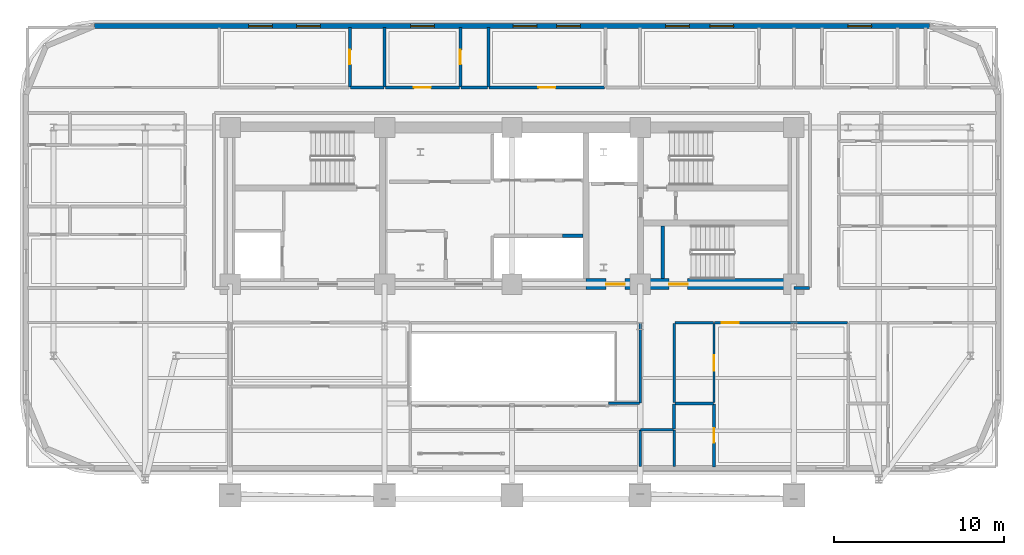
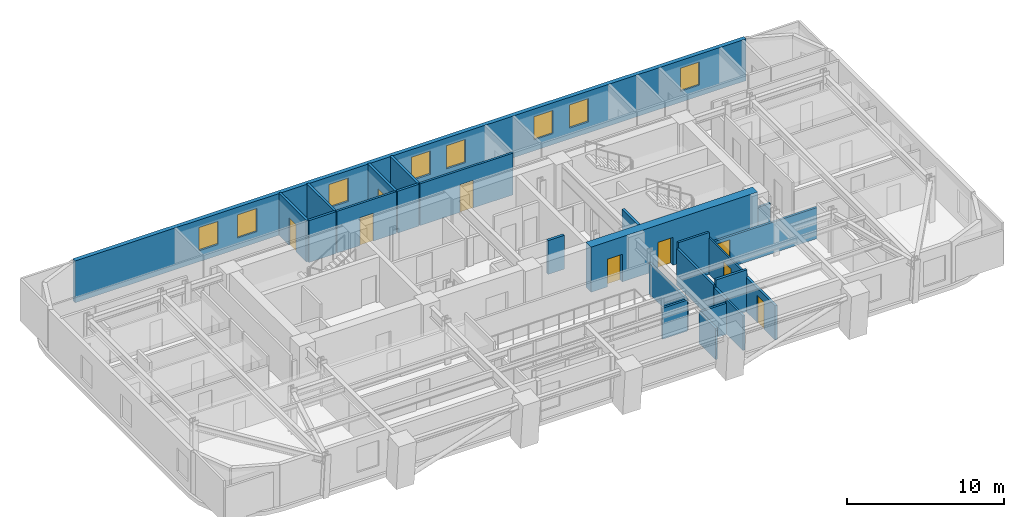
# One storey, part 10 of 16: 25 walls, 9 doors, 8 windows, 17 openings.
"""IFC4 building model written with IfcOpenShell, lengths in metres."""

from ifc_helpers import new_model, si_unit, direction, frame, frame_2d, origin, place, context, subcontext, project, spatial, rectangle, extrude, material, layer, layer_set, type_object, element, fill, save


model = new_model("IFC4")

# Units and contexts
model_context = context("Model", 3, precision=1e-05, world=origin(), true_north=direction((0.0, 1.0)))
body_context = subcontext(model_context, "Body", "Model", "MODEL_VIEW")
ifc_project = project(units=[si_unit("LENGTHUNIT", "METRE"), si_unit("AREAUNIT", "SQUARE_METRE"), si_unit("VOLUMEUNIT", "CUBIC_METRE"), si_unit("PLANEANGLEUNIT", "RADIAN"), si_unit("MASSUNIT", "GRAM", prefix="KILO")], contexts=[model_context])

# Site, building, storey
site_placement = place(None, origin())
site = spatial("IfcSite", under=ifc_project, at=site_placement, CompositionType="ELEMENT")
building_placement = place(site_placement, origin())
building = spatial("IfcBuilding", under=site, at=building_placement, Name="Zarnavel Station Tower", CompositionType="ELEMENT")
storey_placement = place(building_placement, frame((0.0, 0.0, 118.800048828125)))
storey = spatial("IfcBuildingStorey", under=building, at=storey_placement, Name="L32", CompositionType="ELEMENT", Elevation=118.800048828125)

# Wall, openings, doors
ifc_material_1 = material(Name="Concrete C60/75", Category="concrete")
ifc_layer_1 = layer(ifc_material_1, 0.64990234375)
ifc_layer_set_1 = layer_set([ifc_layer_1], Name="CW_650")
wall_type_1 = type_object("IfcWallType", Name="CW_650", PredefinedType="SHEAR", material=ifc_layer_set_1)
wall_1_placement = place(storey_placement, frame((45.3798828125, 27.820068359375, 0.0), z_axis=(0.0, 0.0, 1.0), x_axis=(-1.0, 0.0, 0.0)))
wall_1 = element("IfcWall", 1, at=wall_1_placement, inside=storey, type_object=wall_type_1, Name="L32 Rear Core Shear Wall S-E", PredefinedType="SHEAR", context=body_context, shape_type="SweptSolid", body=[
    extrude(rectangle(XDim=12.22998046875, YDim=0.64990234375, at=frame_2d((6.114990234375, 0.0))), origin(), (0.0, 0.0, 1.0), 3.5),
])
opening_1_placement = place(wall_1_placement, frame((9.929931640625, 0.0, 0.0)))
opening_1 = element("IfcOpeningElement", 2, at=opening_1_placement, cuts=wall_1, Name="Opening FD01", PredefinedType="OPENING", context=body_context, shape_type="SweptSolid", body=[
    extrude(rectangle(XDim=1.10009765625, YDim=2.14990234375, at=frame_2d((0.550048828125, 1.074951171875))), frame((0.0, 0.3349609375, 0.0), z_axis=(0.0, -1.0, 0.0), x_axis=(1.0, 0.0, 0.0)), (0.0, 0.0, 1.0), 0.669921875),
])
opening_2_placement = place(wall_1_placement, frame((6.22998046875, 0.0, 0.0)))
opening_2 = element("IfcOpeningElement", 3, at=opening_2_placement, cuts=wall_1, Name="Opening FD01", PredefinedType="OPENING", context=body_context, shape_type="SweptSolid", body=[
    extrude(rectangle(XDim=1.10009765625, YDim=2.14990234375, at=frame_2d((0.550048828125, 1.074951171875))), frame((0.0, 0.3349609375, 0.0), z_axis=(0.0, -1.0, 0.0), x_axis=(1.0, 0.0, 0.0)), (0.0, 0.0, 1.0), 0.669921875),
])
ifc_material_2 = material(Name="Painted Galvanised Steel and Hardwood Leaf", Category="steel")
door_type_1 = type_object("IfcDoorType", Name="ID_STAIR_1100", OperationType="NOTDEFINED", PredefinedType="DOOR", material=ifc_material_2)
door_1_placement = place(opening_1_placement, origin())
door_1 = element("IfcDoor", 4, at=door_1_placement, inside=storey, type_object=door_type_1, Name="L32 East Firefighting Lobby Door", OperationType="SINGLE_SWING_LEFT", OverallHeight=2.14990234375, OverallWidth=1.10009765625, PredefinedType="DOOR", context=body_context, shape_type="SweptSolid", body=[
    extrude(rectangle(XDim=1.10009765625, YDim=2.14990234375, at=frame_2d((0.550048828125, 1.074951171875))), frame((0.0, 0.02490234375, 0.0), z_axis=(0.0, -1.0, 0.0), x_axis=(1.0, 0.0, 0.0)), (0.0, 0.0, 1.0), 0.050048828125),
])
fill(opening_1, door_1)
door_2_placement = place(opening_2_placement, origin())
door_2 = element("IfcDoor", 5, at=door_2_placement, inside=storey, type_object=door_type_1, Name="L32 Stair ST3 Corridor Fire Door", OperationType="SINGLE_SWING_RIGHT", OverallHeight=2.14990234375, OverallWidth=1.10009765625, PredefinedType="DOOR", context=body_context, shape_type="SweptSolid", body=[
    extrude(rectangle(XDim=1.10009765625, YDim=2.14990234375, at=frame_2d((0.550048828125, 1.074951171875))), frame((0.0, 0.02490234375, 0.0), z_axis=(0.0, -1.0, 0.0), x_axis=(1.0, 0.0, 0.0)), (0.0, 0.0, 1.0), 0.050048828125),
])
fill(opening_2, door_2)

# Wall, openings, windows
ifc_material_3 = material(Name="Precast concrete C45/55 (Dark Basalt Finish)", Category="masonry")
ifc_layer_2 = layer(ifc_material_3, 0.300048828125)
ifc_layer_set_2 = layer_set([ifc_layer_2], Name="EW_BASALT_300")
wall_type_2 = type_object("IfcWallType", Name="EW_BASALT_300", PredefinedType="SOLIDWALL", material=ifc_layer_set_2)
wall_2_placement = place(storey_placement, frame((4.199951171875, 43.02001953125, 0.0), z_axis=(0.0, 0.0, 1.0), x_axis=(1.0, 0.0, 0.0)))
wall_2 = element("IfcWall", 6, at=wall_2_placement, inside=storey, type_object=wall_type_2, Name="L32 Exterior Basalt Masonry Frame Wall 06", PredefinedType="SOLIDWALL", context=body_context, shape_type="SweptSolid", body=[
    extrude(rectangle(XDim=49.199951171875, YDim=0.300048828125, at=frame_2d((24.60009765625, 0.0))), origin(), (0.0, 0.0, 1.0), 3.239990234375),
])
opening_3_placement = place(wall_2_placement, frame((9.090087890625, 0.0, 0.85009765625)))
opening_3 = element("IfcOpeningElement", 7, at=opening_3_placement, cuts=wall_2, Name="Opening WN01", PredefinedType="OPENING", context=body_context, shape_type="SweptSolid", body=[
    extrude(rectangle(XDim=1.39990234375, YDim=1.800048828125, at=frame_2d((0.699951171875, 0.89990234375))), frame((0.0, 0.159912109375, 0.0), z_axis=(0.0, -1.0, 0.0), x_axis=(1.0, 0.0, 0.0)), (0.0, 0.0, 1.0), 0.320068359375),
])
opening_4_placement = place(wall_2_placement, frame((11.919921875, 0.0, 0.85009765625)))
opening_4 = element("IfcOpeningElement", 8, at=opening_4_placement, cuts=wall_2, Name="Opening WN01", PredefinedType="OPENING", context=body_context, shape_type="SweptSolid", body=[
    extrude(rectangle(XDim=1.39990234375, YDim=1.800048828125, at=frame_2d((0.699951171875, 0.89990234375))), frame((0.0, 0.159912109375, 0.0), z_axis=(0.0, -1.0, 0.0), x_axis=(1.0, 0.0, 0.0)), (0.0, 0.0, 1.0), 0.320068359375),
])
opening_5_placement = place(wall_2_placement, frame((18.626953125, 0.0, 0.85009765625)))
opening_5 = element("IfcOpeningElement", 9, at=opening_5_placement, cuts=wall_2, Name="Opening WN01", PredefinedType="OPENING", context=body_context, shape_type="SweptSolid", body=[
    extrude(rectangle(XDim=1.39990234375, YDim=1.800048828125, at=frame_2d((0.699951171875, 0.89990234375))), frame((0.0, 0.159912109375, 0.0), z_axis=(0.0, -1.0, 0.0), x_axis=(1.0, 0.0, 0.0)), (0.0, 0.0, 1.0), 0.320068359375),
])
opening_6_placement = place(wall_2_placement, frame((24.669189453125, 0.0, 0.85009765625)))
opening_6 = element("IfcOpeningElement", 10, at=opening_6_placement, cuts=wall_2, Name="Opening WN01", PredefinedType="OPENING", context=body_context, shape_type="SweptSolid", body=[
    extrude(rectangle(XDim=1.39990234375, YDim=1.800048828125, at=frame_2d((0.699951171875, 0.89990234375))), frame((0.0, 0.159912109375, 0.0), z_axis=(0.0, -1.0, 0.0), x_axis=(1.0, 0.0, 0.0)), (0.0, 0.0, 1.0), 0.320068359375),
])
opening_7_placement = place(wall_2_placement, frame((27.234619140625, 0.0, 0.85009765625)))
opening_7 = element("IfcOpeningElement", 11, at=opening_7_placement, cuts=wall_2, Name="Opening WN01", PredefinedType="OPENING", context=body_context, shape_type="SweptSolid", body=[
    extrude(rectangle(XDim=1.39990234375, YDim=1.800048828125, at=frame_2d((0.699951171875, 0.89990234375))), frame((0.0, 0.159912109375, 0.0), z_axis=(0.0, -1.0, 0.0), x_axis=(1.0, 0.0, 0.0)), (0.0, 0.0, 1.0), 0.320068359375),
])
opening_8_placement = place(wall_2_placement, frame((33.64990234375, 0.0, 0.85009765625)))
opening_8 = element("IfcOpeningElement", 12, at=opening_8_placement, cuts=wall_2, Name="Opening WN01", PredefinedType="OPENING", context=body_context, shape_type="SweptSolid", body=[
    extrude(rectangle(XDim=1.39990234375, YDim=1.800048828125, at=frame_2d((0.699951171875, 0.89990234375))), frame((0.0, 0.159912109375, 0.0), z_axis=(0.0, -1.0, 0.0), x_axis=(1.0, 0.0, 0.0)), (0.0, 0.0, 1.0), 0.320068359375),
])
opening_9_placement = place(wall_2_placement, frame((36.25, 0.0, 0.85009765625)))
opening_9 = element("IfcOpeningElement", 13, at=opening_9_placement, cuts=wall_2, Name="Opening WN01", PredefinedType="OPENING", context=body_context, shape_type="SweptSolid", body=[
    extrude(rectangle(XDim=1.39990234375, YDim=1.800048828125, at=frame_2d((0.699951171875, 0.89990234375))), frame((0.0, 0.159912109375, 0.0), z_axis=(0.0, -1.0, 0.0), x_axis=(1.0, 0.0, 0.0)), (0.0, 0.0, 1.0), 0.320068359375),
])
opening_10_placement = place(wall_2_placement, frame((44.376953125, 0.0, 0.85009765625)))
opening_10 = element("IfcOpeningElement", 14, at=opening_10_placement, cuts=wall_2, Name="Opening WN01", PredefinedType="OPENING", context=body_context, shape_type="SweptSolid", body=[
    extrude(rectangle(XDim=1.39990234375, YDim=1.800048828125, at=frame_2d((0.699951171875, 0.89990234375))), frame((0.0, 0.159912109375, 0.0), z_axis=(0.0, -1.0, 0.0), x_axis=(1.0, 0.0, 0.0)), (0.0, 0.0, 1.0), 0.320068359375),
])
ifc_material_4 = material(Name="Thermally Broken Black Aluminium and Low-E Dark Glass", Category="aluminium")
window_type = type_object("IfcWindowType", Name="WN_1400x1800", PartitioningType="DOUBLE_PANEL_VERTICAL", PredefinedType="WINDOW", material=ifc_material_4)
window_1_placement = place(opening_3_placement, origin())
window_1 = element("IfcWindow", 15, at=window_1_placement, inside=storey, type_object=window_type, Name="L32 Recessed Facade Window 01", OverallHeight=1.800048828125, OverallWidth=1.39990234375, PartitioningType="SINGLE_PANEL", PredefinedType="WINDOW", context=body_context, shape_type="SweptSolid", body=[
    extrude(rectangle(XDim=1.39990234375, YDim=1.800048828125, at=frame_2d((0.699951171875, 0.89990234375))), frame((0.0, 0.030029296875, 0.0), z_axis=(0.0, -1.0, 0.0), x_axis=(1.0, 0.0, 0.0)), (0.0, 0.0, 1.0), 0.06005859375),
])
fill(opening_3, window_1)
window_2_placement = place(opening_4_placement, origin())
window_2 = element("IfcWindow", 16, at=window_2_placement, inside=storey, type_object=window_type, Name="L32 Recessed Facade Window 02", OverallHeight=1.800048828125, OverallWidth=1.39990234375, PartitioningType="SINGLE_PANEL", PredefinedType="WINDOW", context=body_context, shape_type="SweptSolid", body=[
    extrude(rectangle(XDim=1.39990234375, YDim=1.800048828125, at=frame_2d((0.699951171875, 0.89990234375))), frame((0.0, 0.030029296875, 0.0), z_axis=(0.0, -1.0, 0.0), x_axis=(1.0, 0.0, 0.0)), (0.0, 0.0, 1.0), 0.06005859375),
])
fill(opening_4, window_2)
window_3_placement = place(opening_5_placement, origin())
window_3 = element("IfcWindow", 17, at=window_3_placement, inside=storey, type_object=window_type, Name="L32 Recessed Facade Window 03", OverallHeight=1.800048828125, OverallWidth=1.39990234375, PartitioningType="SINGLE_PANEL", PredefinedType="WINDOW", context=body_context, shape_type="SweptSolid", body=[
    extrude(rectangle(XDim=1.39990234375, YDim=1.800048828125, at=frame_2d((0.699951171875, 0.89990234375))), frame((0.0, 0.030029296875, 0.0), z_axis=(0.0, -1.0, 0.0), x_axis=(1.0, 0.0, 0.0)), (0.0, 0.0, 1.0), 0.06005859375),
])
fill(opening_5, window_3)
window_4_placement = place(opening_6_placement, origin())
window_4 = element("IfcWindow", 18, at=window_4_placement, inside=storey, type_object=window_type, Name="L32 Recessed Facade Window 04", OverallHeight=1.800048828125, OverallWidth=1.39990234375, PartitioningType="SINGLE_PANEL", PredefinedType="WINDOW", context=body_context, shape_type="SweptSolid", body=[
    extrude(rectangle(XDim=1.39990234375, YDim=1.800048828125, at=frame_2d((0.699951171875, 0.89990234375))), frame((0.0, 0.030029296875, 0.0), z_axis=(0.0, -1.0, 0.0), x_axis=(1.0, 0.0, 0.0)), (0.0, 0.0, 1.0), 0.06005859375),
])
fill(opening_6, window_4)
window_5_placement = place(opening_7_placement, origin())
window_5 = element("IfcWindow", 19, at=window_5_placement, inside=storey, type_object=window_type, Name="L32 Recessed Facade Window 05", OverallHeight=1.800048828125, OverallWidth=1.39990234375, PartitioningType="SINGLE_PANEL", PredefinedType="WINDOW", context=body_context, shape_type="SweptSolid", body=[
    extrude(rectangle(XDim=1.39990234375, YDim=1.800048828125, at=frame_2d((0.699951171875, 0.89990234375))), frame((0.0, 0.030029296875, 0.0), z_axis=(0.0, -1.0, 0.0), x_axis=(1.0, 0.0, 0.0)), (0.0, 0.0, 1.0), 0.06005859375),
])
fill(opening_7, window_5)
window_6_placement = place(opening_8_placement, origin())
window_6 = element("IfcWindow", 20, at=window_6_placement, inside=storey, type_object=window_type, Name="L32 Recessed Facade Window 06", OverallHeight=1.800048828125, OverallWidth=1.39990234375, PartitioningType="SINGLE_PANEL", PredefinedType="WINDOW", context=body_context, shape_type="SweptSolid", body=[
    extrude(rectangle(XDim=1.39990234375, YDim=1.800048828125, at=frame_2d((0.699951171875, 0.89990234375))), frame((0.0, 0.030029296875, 0.0), z_axis=(0.0, -1.0, 0.0), x_axis=(1.0, 0.0, 0.0)), (0.0, 0.0, 1.0), 0.06005859375),
])
fill(opening_8, window_6)
window_7_placement = place(opening_9_placement, origin())
window_7 = element("IfcWindow", 21, at=window_7_placement, inside=storey, type_object=window_type, Name="L32 Recessed Facade Window 07", OverallHeight=1.800048828125, OverallWidth=1.39990234375, PartitioningType="SINGLE_PANEL", PredefinedType="WINDOW", context=body_context, shape_type="SweptSolid", body=[
    extrude(rectangle(XDim=1.39990234375, YDim=1.800048828125, at=frame_2d((0.699951171875, 0.89990234375))), frame((0.0, 0.030029296875, 0.0), z_axis=(0.0, -1.0, 0.0), x_axis=(1.0, 0.0, 0.0)), (0.0, 0.0, 1.0), 0.06005859375),
])
fill(opening_9, window_7)
window_8_placement = place(opening_10_placement, origin())
window_8 = element("IfcWindow", 22, at=window_8_placement, inside=storey, type_object=window_type, Name="L32 Recessed Facade Window 08", OverallHeight=1.800048828125, OverallWidth=1.39990234375, PartitioningType="SINGLE_PANEL", PredefinedType="WINDOW", context=body_context, shape_type="SweptSolid", body=[
    extrude(rectangle(XDim=1.39990234375, YDim=1.800048828125, at=frame_2d((0.699951171875, 0.89990234375))), frame((0.0, 0.030029296875, 0.0), z_axis=(0.0, -1.0, 0.0), x_axis=(1.0, 0.0, 0.0)), (0.0, 0.0, 1.0), 0.06005859375),
])
fill(opening_10, window_8)

# Wall, opening, door
ifc_material_5 = material(Name="Gypsum Twin-Stud Acoustic Fire Partition", Category="concrete")
ifc_layer_3 = layer(ifc_material_5, 0.159912109375)
ifc_layer_set_3 = layer_set([ifc_layer_3], Name="PT_DEMISE_160")
wall_type_3 = type_object("IfcWallType", Name="PT_DEMISE_160", PredefinedType="PARTITIONING", material=ifc_layer_set_3)
wall_3_placement = place(storey_placement, frame((40.739990234375, 25.550048828125, 0.0), z_axis=(0.0, 0.0, 1.0), x_axis=(1.0, 0.0, 0.0)))
wall_3 = element("IfcWall", 23, at=wall_3_placement, inside=storey, type_object=wall_type_3, Name="L32 Partition COR-S-HE1R", PredefinedType="PARTITIONING", context=body_context, shape_type="SweptSolid", body=[
    extrude(rectangle(XDim=7.820068359375, YDim=0.159912109375, at=frame_2d((3.91015625, 0.0))), origin(), (0.0, 0.0, 1.0), 2.406005859375),
])
opening_11_placement = place(wall_3_placement, frame((0.41259765625, 0.0, 0.0)))
opening_11 = element("IfcOpeningElement", 24, at=opening_11_placement, cuts=wall_3, Name="Opening FD02", PredefinedType="OPENING", context=body_context, shape_type="SweptSolid", body=[
    extrude(rectangle(XDim=1.0, YDim=2.14990234375, at=frame_2d((0.5, 1.074951171875))), frame((0.0, 0.08984375, 0.0), z_axis=(0.0, -1.0, 0.0), x_axis=(1.0, 0.0, 0.0)), (0.0, 0.0, 1.0), 0.179931640625),
])
ifc_material_6 = material(Name="Painted Galvanised Steel and Hardwood Leaf", Category="steel")
door_type_2 = type_object("IfcDoorType", Name="ID_ENTRY_1000", OperationType="NOTDEFINED", PredefinedType="DOOR", material=ifc_material_6)
door_3_placement = place(opening_11_placement, origin())
door_3 = element("IfcDoor", 25, at=door_3_placement, inside=storey, type_object=door_type_2, Name="L32 Door COR-S-HE1R", OperationType="SINGLE_SWING_LEFT", OverallHeight=2.14990234375, OverallWidth=1.0, PredefinedType="DOOR", context=body_context, shape_type="SweptSolid", body=[
    extrude(rectangle(XDim=1.0, YDim=2.14990234375, at=frame_2d((0.5, 1.074951171875))), frame((0.0, 0.02490234375, 0.0), z_axis=(0.0, -1.0, 0.0), x_axis=(1.0, 0.0, 0.0)), (0.0, 0.0, 1.0), 0.050048828125),
])
fill(opening_11, door_3)

# Wall
wall_4_placement = place(storey_placement, frame((38.389892578125, 25.550048828125, 0.0), z_axis=(0.0, 0.0, 1.0), x_axis=(1.0, 0.0, 0.0)))
element("IfcWall", 26, at=wall_4_placement, inside=storey, type_object=wall_type_3, Name="L32 Partition COR-S-HE1S", PredefinedType="PARTITIONING", context=body_context, shape_type="SweptSolid", body=[
    extrude(rectangle(XDim=2.27001953125, YDim=0.159912109375, at=frame_2d((1.135009765625, 0.0))), origin(), (0.0, 0.0, 1.0), 3.239990234375),
])

# Wall, opening, door
wall_5_placement = place(storey_placement, frame((21.340087890625, 39.39990234375, 0.0), z_axis=(0.0, 0.0, 1.0), x_axis=(1.0, 0.0, 0.0)))
wall_5 = element("IfcWall", 27, at=wall_5_placement, inside=storey, type_object=wall_type_3, Name="L32 Partition COR-N-HN2R", PredefinedType="PARTITIONING", context=body_context, shape_type="SweptSolid", body=[
    extrude(rectangle(XDim=4.3740234375, YDim=0.159912109375, at=frame_2d((2.18701171875, 0.0))), origin(), (0.0, 0.0, 1.0), 3.239990234375),
])
opening_12_placement = place(wall_5_placement, frame((1.68701171875, 0.0, 0.0)))
opening_12 = element("IfcOpeningElement", 28, at=opening_12_placement, cuts=wall_5, Name="Opening FD02", PredefinedType="OPENING", context=body_context, shape_type="SweptSolid", body=[
    extrude(rectangle(XDim=1.0, YDim=2.14990234375, at=frame_2d((0.5, 1.074951171875))), frame((0.0, 0.08984375, 0.0), z_axis=(0.0, -1.0, 0.0), x_axis=(1.0, 0.0, 0.0)), (0.0, 0.0, 1.0), 0.179931640625),
])
door_4_placement = place(opening_12_placement, origin())
door_4 = element("IfcDoor", 29, at=door_4_placement, inside=storey, type_object=door_type_2, Name="L32 Door COR-N-HN2R", OperationType="SINGLE_SWING_LEFT", OverallHeight=2.14990234375, OverallWidth=1.0, PredefinedType="DOOR", context=body_context, shape_type="SweptSolid", body=[
    extrude(rectangle(XDim=1.0, YDim=2.14990234375, at=frame_2d((0.5, 1.074951171875))), frame((0.0, 0.02490234375, 0.0), z_axis=(0.0, -1.0, 0.0), x_axis=(1.0, 0.0, 0.0)), (0.0, 0.0, 1.0), 0.050048828125),
])
fill(opening_12, door_4)

wall_6_placement = place(storey_placement, frame((27.444091796875, 39.39990234375, 0.0), z_axis=(0.0, 0.0, 1.0), x_axis=(1.0, 0.0, 0.0)))
wall_6 = element("IfcWall", 30, at=wall_6_placement, inside=storey, type_object=wall_type_3, Name="L32 Partition COR-N-HN3R", PredefinedType="PARTITIONING", context=body_context, shape_type="SweptSolid", body=[
    extrude(rectangle(XDim=6.81591796875, YDim=0.159912109375, at=frame_2d((3.407958984375, 0.0))), origin(), (0.0, 0.0, 1.0), 3.239990234375),
])
opening_13_placement = place(wall_6_placement, frame((2.907958984375, 0.0, 0.0)))
opening_13 = element("IfcOpeningElement", 31, at=opening_13_placement, cuts=wall_6, Name="Opening FD02", PredefinedType="OPENING", context=body_context, shape_type="SweptSolid", body=[
    extrude(rectangle(XDim=1.0, YDim=2.14990234375, at=frame_2d((0.5, 1.074951171875))), frame((0.0, 0.08984375, 0.0), z_axis=(0.0, -1.0, 0.0), x_axis=(1.0, 0.0, 0.0)), (0.0, 0.0, 1.0), 0.179931640625),
])
door_5_placement = place(opening_13_placement, origin())
door_5 = element("IfcDoor", 32, at=door_5_placement, inside=storey, type_object=door_type_2, Name="L32 Door COR-N-HN3R", OperationType="SINGLE_SWING_RIGHT", OverallHeight=2.14990234375, OverallWidth=1.0, PredefinedType="DOOR", context=body_context, shape_type="SweptSolid", body=[
    extrude(rectangle(XDim=1.0, YDim=2.14990234375, at=frame_2d((0.5, 1.074951171875))), frame((0.0, 0.02490234375, 0.0), z_axis=(0.0, -1.0, 0.0), x_axis=(1.0, 0.0, 0.0)), (0.0, 0.0, 1.0), 0.050048828125),
])
fill(opening_13, door_5)

# Walls
wall_7_placement = place(storey_placement, frame((38.35009765625, 20.8359375, 0.0), z_axis=(0.0, 0.0, 1.0), x_axis=(0.0, 1.0, 0.0)))
element("IfcWall", 33, at=wall_7_placement, inside=storey, type_object=wall_type_3, Name="L32 Partition COR-AE-HE1S", PredefinedType="PARTITIONING", context=body_context, shape_type="SweptSolid", body=[
    extrude(rectangle(XDim=4.674072265625, YDim=0.159912109375, at=frame_2d((2.3369140625, 0.0))), origin(), (0.0, 0.0, 1.0), 2.820068359375),
])
wall_8_placement = place(storey_placement, frame((45.409912109375, 27.60009765625, 0.0), z_axis=(0.0, 0.0, 1.0), x_axis=(1.0, 0.0, 0.0)))
element("IfcWall", 34, at=wall_8_placement, inside=storey, type_object=wall_type_3, Name="L32 Enclosure Wall COR-S", PredefinedType="PARTITIONING", context=body_context, shape_type="SweptSolid", body=[
    extrude(rectangle(XDim=0.91015625, YDim=0.159912109375, at=frame_2d((0.455078125, 0.0))), origin(), (0.0, 0.0, 1.0), 2.280029296875),
])
wall_9_placement = place(storey_placement, frame((36.3798828125, 19.25, 0.0), z_axis=(0.0, 0.0, 1.0), x_axis=(1.0, 0.0, 0.0)))
element("IfcWall", 35, at=wall_9_placement, inside=storey, type_object=wall_type_3, Name="L32 Enclosure Wall COR-AE", PredefinedType="PARTITIONING", context=body_context, shape_type="SweptSolid", body=[
    extrude(rectangle(XDim=1.940185546875, YDim=0.159912109375, at=frame_2d((0.97021484375, 0.0))), origin(), (0.0, 0.0, 1.0), 2.406005859375),
])
wall_10_placement = place(storey_placement, frame((36.35009765625, 20.830078125, 0.0), z_axis=(0.0, 0.0, 1.0), x_axis=(0.0, 1.0, 0.0)))
element("IfcWall", 36, at=wall_10_placement, inside=storey, type_object=wall_type_3, Name="L32 Enclosure Wall COR-AE", PredefinedType="PARTITIONING", context=body_context, shape_type="SweptSolid", body=[
    extrude(rectangle(XDim=4.68994140625, YDim=0.159912109375, at=frame_2d((2.344970703125, 0.0))), origin(), (0.0, 0.0, 1.0), 2.406005859375),
])
wall_11_placement = place(storey_placement, frame((34.47998046875, 20.800048828125, 0.0), z_axis=(0.0, 0.0, 1.0), x_axis=(1.0, 0.0, 0.0)))
element("IfcWall", 37, at=wall_11_placement, inside=storey, type_object=wall_type_3, Name="L32 Enclosure Wall COR-AS", PredefinedType="PARTITIONING", context=body_context, shape_type="SweptSolid", body=[
    extrude(rectangle(XDim=1.840087890625, YDim=0.159912109375, at=frame_2d((0.919921875, 0.0))), origin(), (0.0, 0.0, 1.0), 2.406005859375),
])
wall_12_placement = place(storey_placement, frame((36.35009765625, 17.090087890625, 0.0), z_axis=(0.0, 0.0, 1.0), x_axis=(0.0, 1.0, 0.0)))
element("IfcWall", 38, at=wall_12_placement, inside=storey, type_object=wall_type_3, Name="L32 Enclosure Wall Z2LIB", PredefinedType="PARTITIONING", context=body_context, shape_type="SweptSolid", body=[
    extrude(rectangle(XDim=2.1298828125, YDim=0.159912109375, at=frame_2d((1.06494140625, 0.0))), origin(), (0.0, 0.0, 1.0), 2.406005859375),
])
wall_13_placement = place(storey_placement, frame((38.35009765625, 17.090087890625, 0.0), z_axis=(0.0, 0.0, 1.0), x_axis=(0.0, 1.0, 0.0)))
element("IfcWall", 39, at=wall_13_placement, inside=storey, type_object=wall_type_3, Name="L32 Enclosure Wall HE1B", PredefinedType="PARTITIONING", context=body_context, shape_type="SweptSolid", body=[
    extrude(rectangle(XDim=2.1298828125, YDim=0.159912109375, at=frame_2d((1.06494140625, 0.0))), origin(), (0.0, 0.0, 1.0), 2.669921875),
])

# Wall, opening, door
ifc_material_7 = material(Name="Gypsum Metal-Stud Interior Partition", Category="concrete")
ifc_layer_4 = layer(ifc_material_7, 0.1201171875)
ifc_layer_set_4 = layer_set([ifc_layer_4], Name="PT_ROOM_120")
wall_type_4 = type_object("IfcWallType", Name="PT_ROOM_120", PredefinedType="PARTITIONING", material=ifc_layer_set_4)
wall_14_placement = place(storey_placement, frame((40.699951171875, 20.8359375, 0.0), z_axis=(0.0, 0.0, 1.0), x_axis=(0.0, 1.0, 0.0)))
wall_14 = element("IfcWall", 40, at=wall_14_placement, inside=storey, type_object=wall_type_4, Name="L32 Partition HE1R-HE1S", PredefinedType="PARTITIONING", context=body_context, shape_type="SweptSolid", body=[
    extrude(rectangle(XDim=4.674072265625, YDim=0.1201171875, at=frame_2d((2.3369140625, 0.0))), origin(), (0.0, 0.0, 1.0), 2.820068359375),
])
opening_14_placement = place(wall_14_placement, frame((1.886962890625, 0.0, 0.0)))
opening_14 = element("IfcOpeningElement", 41, at=opening_14_placement, cuts=wall_14, Name="Opening ID01", PredefinedType="OPENING", context=body_context, shape_type="SweptSolid", body=[
    extrude(rectangle(XDim=0.89990234375, YDim=2.10009765625, at=frame_2d((0.449951171875, 1.050048828125))), frame((0.0, 0.070068359375, 0.0), z_axis=(0.0, -1.0, 0.0), x_axis=(1.0, 0.0, 0.0)), (0.0, 0.0, 1.0), 0.14013671875),
])
ifc_material_8 = material(Name="Painted Galvanised Steel and Hardwood Leaf", Category="steel")
door_type_3 = type_object("IfcDoorType", Name="ID_ROOM_900", OperationType="NOTDEFINED", PredefinedType="DOOR", material=ifc_material_8)
door_6_placement = place(opening_14_placement, origin())
door_6 = element("IfcDoor", 42, at=door_6_placement, inside=storey, type_object=door_type_3, Name="L32 Door HE1R-HE1S", OperationType="SINGLE_SWING_LEFT", OverallHeight=2.10009765625, OverallWidth=0.89990234375, PredefinedType="DOOR", context=body_context, shape_type="SweptSolid", body=[
    extrude(rectangle(XDim=0.89990234375, YDim=2.10009765625, at=frame_2d((0.449951171875, 1.050048828125))), frame((0.0, 0.02490234375, 0.0), z_axis=(0.0, -1.0, 0.0), x_axis=(1.0, 0.0, 0.0)), (0.0, 0.0, 1.0), 0.050048828125),
])
fill(opening_14, door_6)

# Walls
ifc_material_9 = material(Name="Precast concrete C45/55 (Fire Shaft Blockwork)", Category="masonry")
ifc_layer_5 = layer(ifc_material_9, 0.199951171875)
ifc_layer_set_5 = layer_set([ifc_layer_5], Name="PT_SHAFT_200")
wall_type_5 = type_object("IfcWallType", Name="PT_SHAFT_200", PredefinedType="PARTITIONING", material=ifc_layer_set_5)
wall_15_placement = place(storey_placement, frame((31.77490234375, 30.669921875, 0.0), z_axis=(0.0, 0.0, 1.0), x_axis=(1.0, 0.0, 0.0)))
element("IfcWall", 43, at=wall_15_placement, inside=storey, type_object=wall_type_5, Name="L32 Lift PL-H3 Shaft Front Wall", PredefinedType="PARTITIONING", context=body_context, shape_type="SweptSolid", body=[
    extrude(rectangle(XDim=1.2001953125, YDim=0.199951171875, at=frame_2d((0.60009765625, 0.0))), origin(), (0.0, 0.0, 1.0), 2.619873046875),
])
wall_16_placement = place(storey_placement, frame((37.679931640625, 28.14501953125, 0.0), z_axis=(0.0, 0.0, 1.0), x_axis=(0.0, 1.0, 0.0)))
element("IfcWall", 44, at=wall_16_placement, inside=storey, type_object=wall_type_5, Name="L32 Stair ST3 West Shaft Wall", PredefinedType="PARTITIONING", context=body_context, shape_type="SweptSolid", body=[
    extrude(rectangle(XDim=3.10498046875, YDim=0.199951171875, at=frame_2d((1.552490234375, 0.0))), origin(), (0.0, 0.0, 1.0), 2.619873046875),
])
ifc_material_10 = material(Name="Moisture-Resistant Plumbing Chase Wall", Category="concrete")
ifc_layer_6 = layer(ifc_material_10, 0.179931640625)
ifc_layer_set_6 = layer_set([ifc_layer_6], Name="PW_PLUMB_180")
wall_type_6 = type_object("IfcWallType", Name="PW_PLUMB_180", PredefinedType="PLUMBINGWALL", material=ifc_layer_set_6)
wall_17_placement = place(storey_placement, frame((19.2900390625, 39.39990234375, 0.0), z_axis=(0.0, 0.0, 1.0), x_axis=(1.0, 0.0, 0.0)))
element("IfcWall", 45, at=wall_17_placement, inside=storey, type_object=wall_type_6, Name="L32 Partition COR-N-HN1B", PredefinedType="PLUMBINGWALL", context=body_context, shape_type="SweptSolid", body=[
    extrude(rectangle(XDim=1.969970703125, YDim=0.179931640625, at=frame_2d((0.98486328125, 0.0))), origin(), (0.0, 0.0, 1.0), 3.239990234375),
])
wall_18_placement = place(storey_placement, frame((25.7939453125, 39.39990234375, 0.0), z_axis=(0.0, 0.0, 1.0), x_axis=(1.0, 0.0, 0.0)))
element("IfcWall", 46, at=wall_18_placement, inside=storey, type_object=wall_type_6, Name="L32 Partition COR-N-HN2B", PredefinedType="PLUMBINGWALL", context=body_context, shape_type="SweptSolid", body=[
    extrude(rectangle(XDim=1.570068359375, YDim=0.179931640625, at=frame_2d((0.78515625, 0.0))), origin(), (0.0, 0.0, 1.0), 3.239990234375),
])
wall_19_placement = place(storey_placement, frame((38.35009765625, 19.2900390625, 0.0), z_axis=(0.0, 0.0, 1.0), x_axis=(0.0, 1.0, 0.0)))
element("IfcWall", 47, at=wall_19_placement, inside=storey, type_object=wall_type_6, Name="L32 Partition COR-AE-HE1B", PredefinedType="PLUMBINGWALL", context=body_context, shape_type="SweptSolid", body=[
    extrude(rectangle(XDim=1.466064453125, YDim=0.179931640625, at=frame_2d((0.73291015625, 0.0))), origin(), (0.0, 0.0, 1.0), 2.669921875),
])

# Wall, opening, door
wall_20_placement = place(storey_placement, frame((19.25, 39.43994140625, 0.0), z_axis=(0.0, 0.0, 1.0), x_axis=(0.0, 1.0, 0.0)))
wall_20 = element("IfcWall", 48, at=wall_20_placement, inside=storey, type_object=wall_type_6, Name="L32 Partition HN1R-HN1B", PredefinedType="PLUMBINGWALL", context=body_context, shape_type="SweptSolid", body=[
    extrude(rectangle(XDim=3.5, YDim=0.179931640625, at=frame_2d((1.75, 0.0))), origin(), (0.0, 0.0, 1.0), 3.239990234375),
])
opening_15_placement = place(wall_20_placement, frame((1.324951171875, 0.0, 0.0)))
opening_15 = element("IfcOpeningElement", 49, at=opening_15_placement, cuts=wall_20, Name="Opening ID02", PredefinedType="OPENING", context=body_context, shape_type="SweptSolid", body=[
    extrude(rectangle(XDim=0.85009765625, YDim=2.10009765625, at=frame_2d((0.425048828125, 1.050048828125))), frame((0.0, 0.099853515625, 0.0), z_axis=(0.0, -1.0, 0.0), x_axis=(1.0, 0.0, 0.0)), (0.0, 0.0, 1.0), 0.199951171875),
])
ifc_material_11 = material(Name="Painted Galvanised Steel and Hardwood Leaf", Category="steel")
door_type_4 = type_object("IfcDoorType", Name="ID_BATH_850", OperationType="NOTDEFINED", PredefinedType="DOOR", material=ifc_material_11)
door_7_placement = place(opening_15_placement, origin())
door_7 = element("IfcDoor", 50, at=door_7_placement, inside=storey, type_object=door_type_4, Name="L32 Door HN1R-HN1B", OperationType="SINGLE_SWING_LEFT", OverallHeight=2.10009765625, OverallWidth=0.85009765625, PredefinedType="DOOR", context=body_context, shape_type="SweptSolid", body=[
    extrude(rectangle(XDim=0.85009765625, YDim=2.10009765625, at=frame_2d((0.425048828125, 1.050048828125))), frame((0.0, 0.02490234375, 0.0), z_axis=(0.0, -1.0, 0.0), x_axis=(1.0, 0.0, 0.0)), (0.0, 0.0, 1.0), 0.050048828125),
])
fill(opening_15, door_7)

# Wall
wall_21_placement = place(storey_placement, frame((21.300048828125, 39.43994140625, 0.0), z_axis=(0.0, 0.0, 1.0), x_axis=(0.0, 1.0, 0.0)))
element("IfcWall", 51, at=wall_21_placement, inside=storey, type_object=wall_type_6, Name="L32 Partition HN1B-HN2R", PredefinedType="PLUMBINGWALL", context=body_context, shape_type="SweptSolid", body=[
    extrude(rectangle(XDim=3.5, YDim=0.179931640625, at=frame_2d((1.75, 0.0))), origin(), (0.0, 0.0, 1.0), 3.239990234375),
])

# Wall, opening, door
wall_22_placement = place(storey_placement, frame((25.75390625, 39.43994140625, 0.0), z_axis=(0.0, 0.0, 1.0), x_axis=(0.0, 1.0, 0.0)))
wall_22 = element("IfcWall", 52, at=wall_22_placement, inside=storey, type_object=wall_type_6, Name="L32 Partition HN2R-HN2B", PredefinedType="PLUMBINGWALL", context=body_context, shape_type="SweptSolid", body=[
    extrude(rectangle(XDim=3.5, YDim=0.179931640625, at=frame_2d((1.75, 0.0))), origin(), (0.0, 0.0, 1.0), 3.239990234375),
])
opening_16_placement = place(wall_22_placement, frame((1.324951171875, 0.0, 0.0)))
opening_16 = element("IfcOpeningElement", 53, at=opening_16_placement, cuts=wall_22, Name="Opening ID02", PredefinedType="OPENING", context=body_context, shape_type="SweptSolid", body=[
    extrude(rectangle(XDim=0.85009765625, YDim=2.10009765625, at=frame_2d((0.425048828125, 1.050048828125))), frame((0.0, 0.099853515625, 0.0), z_axis=(0.0, -1.0, 0.0), x_axis=(1.0, 0.0, 0.0)), (0.0, 0.0, 1.0), 0.199951171875),
])
door_8_placement = place(opening_16_placement, origin())
door_8 = element("IfcDoor", 54, at=door_8_placement, inside=storey, type_object=door_type_4, Name="L32 Door HN2R-HN2B", OperationType="SINGLE_SWING_RIGHT", OverallHeight=2.10009765625, OverallWidth=0.85009765625, PredefinedType="DOOR", context=body_context, shape_type="SweptSolid", body=[
    extrude(rectangle(XDim=0.85009765625, YDim=2.10009765625, at=frame_2d((0.425048828125, 1.050048828125))), frame((0.0, 0.02490234375, 0.0), z_axis=(0.0, -1.0, 0.0), x_axis=(1.0, 0.0, 0.0)), (0.0, 0.0, 1.0), 0.050048828125),
])
fill(opening_16, door_8)

# Wall
wall_23_placement = place(storey_placement, frame((27.404052734375, 39.43994140625, 0.0), z_axis=(0.0, 0.0, 1.0), x_axis=(0.0, 1.0, 0.0)))
element("IfcWall", 55, at=wall_23_placement, inside=storey, type_object=wall_type_6, Name="L32 Partition HN2B-HN3R", PredefinedType="PLUMBINGWALL", context=body_context, shape_type="SweptSolid", body=[
    extrude(rectangle(XDim=3.5, YDim=0.179931640625, at=frame_2d((1.75, 0.0))), origin(), (0.0, 0.0, 1.0), 3.239990234375),
])

# Wall, opening, door
wall_24_placement = place(storey_placement, frame((40.699951171875, 17.06005859375, 0.0), z_axis=(0.0, 0.0, 1.0), x_axis=(0.0, 1.0, 0.0)))
wall_24 = element("IfcWall", 56, at=wall_24_placement, inside=storey, type_object=wall_type_6, Name="L32 Partition HE1R-HE1B", PredefinedType="PLUMBINGWALL", context=body_context, shape_type="SweptSolid", body=[
    extrude(rectangle(XDim=3.696044921875, YDim=0.179931640625, at=frame_2d((1.84814453125, 0.0))), origin(), (0.0, 0.0, 1.0), 2.669921875),
])
opening_17_placement = place(wall_24_placement, frame((1.423095703125, 0.0, 0.0)))
opening_17 = element("IfcOpeningElement", 57, at=opening_17_placement, cuts=wall_24, Name="Opening ID02", PredefinedType="OPENING", context=body_context, shape_type="SweptSolid", body=[
    extrude(rectangle(XDim=0.85009765625, YDim=2.10009765625, at=frame_2d((0.425048828125, 1.050048828125))), frame((0.0, 0.099853515625, 0.0), z_axis=(0.0, -1.0, 0.0), x_axis=(1.0, 0.0, 0.0)), (0.0, 0.0, 1.0), 0.199951171875),
])
door_9_placement = place(opening_17_placement, origin())
door_9 = element("IfcDoor", 58, at=door_9_placement, inside=storey, type_object=door_type_4, Name="L32 Door HE1R-HE1B", OperationType="SINGLE_SWING_RIGHT", OverallHeight=2.10009765625, OverallWidth=0.85009765625, PredefinedType="DOOR", context=body_context, shape_type="SweptSolid", body=[
    extrude(rectangle(XDim=0.85009765625, YDim=2.10009765625, at=frame_2d((0.425048828125, 1.050048828125))), frame((0.0, 0.02490234375, 0.0), z_axis=(0.0, -1.0, 0.0), x_axis=(1.0, 0.0, 0.0)), (0.0, 0.0, 1.0), 0.050048828125),
])
fill(opening_17, door_9)

# Wall
wall_25_placement = place(storey_placement, frame((38.389892578125, 20.7958984375, 0.0), z_axis=(0.0, 0.0, 1.0), x_axis=(1.0, 0.0, 0.0)))
element("IfcWall", 59, at=wall_25_placement, inside=storey, type_object=wall_type_6, Name="L32 Partition HE1B-HE1S", PredefinedType="PLUMBINGWALL", context=body_context, shape_type="SweptSolid", body=[
    extrude(rectangle(XDim=2.27001953125, YDim=0.179931640625, at=frame_2d((1.135009765625, 0.0))), origin(), (0.0, 0.0, 1.0), 3.239990234375),
])

save(model, "model.ifc")
